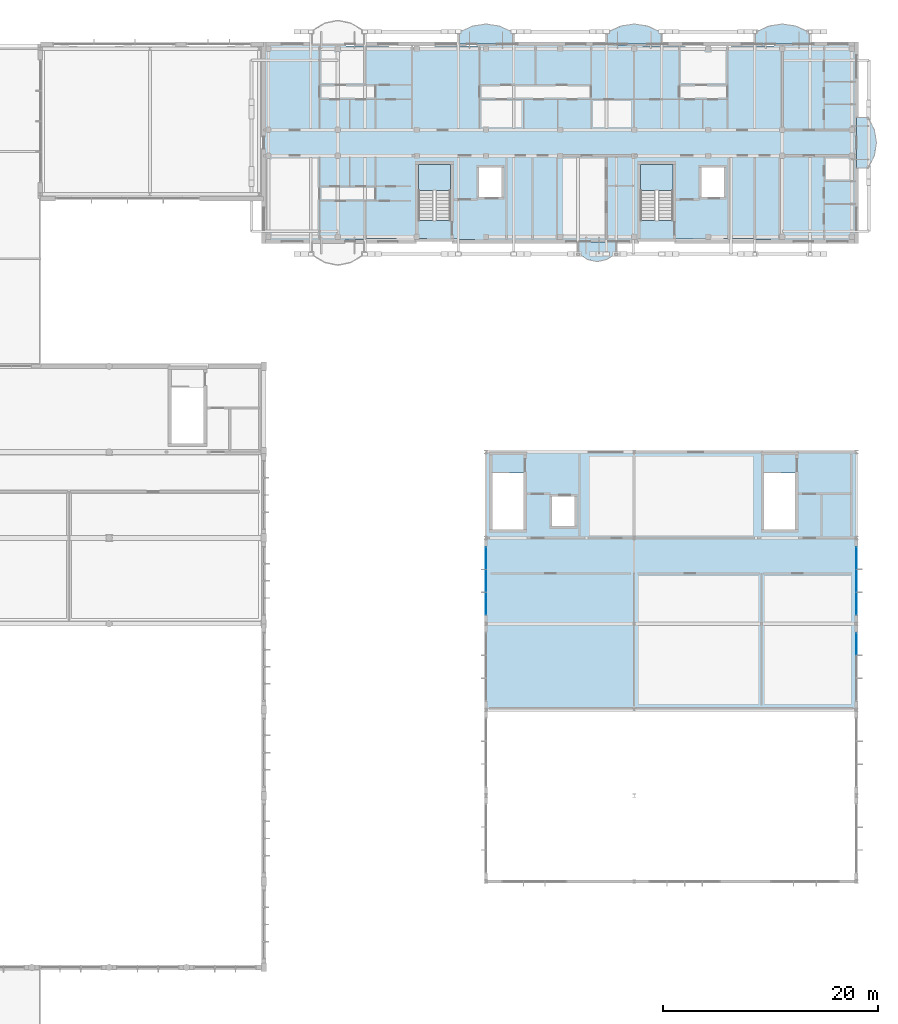
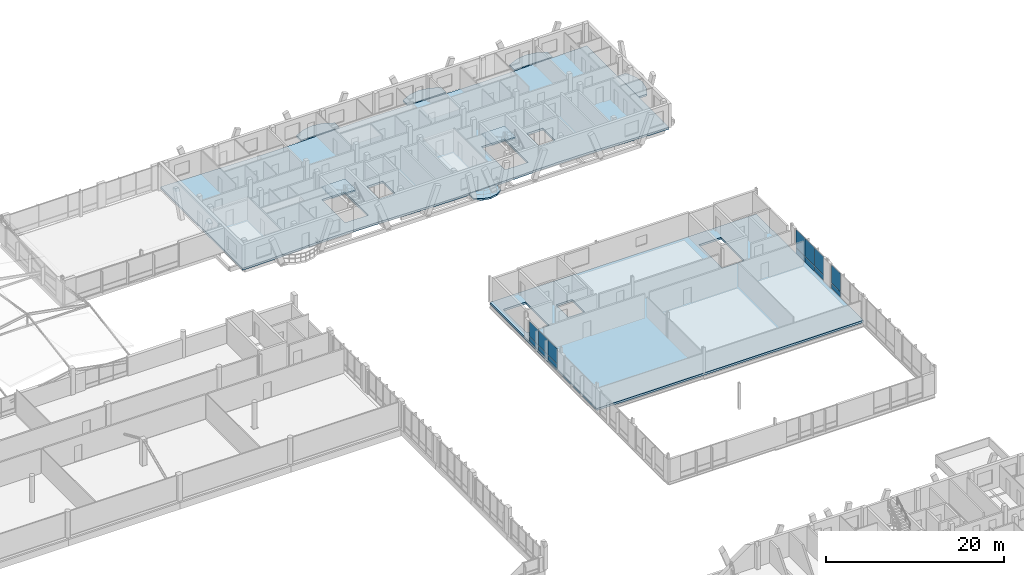
# One storey, part 132 of 189: 14 plates, 9 slabs, 5 elements without a shape of their own.
"""IFC4 building model written with IfcOpenShell, lengths in metres."""

from ifc_helpers import new_model, si_unit, direction, frame, origin, origin_2d, place, context, subcontext, project, spatial, polyline, rectangle, outline, extrude, material, layer, layer_set, type_object, element, aggregate, save


model = new_model("IFC4")

# Units and contexts
model_context = context("Model", 3, precision=1e-05, world=origin(), true_north=direction((0.0, 1.0)))
body_context = subcontext(model_context, "Body", "Model", "MODEL_VIEW")
ifc_project = project(units=[si_unit("LENGTHUNIT", "METRE"), si_unit("AREAUNIT", "SQUARE_METRE"), si_unit("VOLUMEUNIT", "CUBIC_METRE"), si_unit("PLANEANGLEUNIT", "RADIAN"), si_unit("MASSUNIT", "GRAM", prefix="KILO")], contexts=[model_context])

# Site, building, storey
site_placement = place(None, origin())
site = spatial("IfcSite", under=ifc_project, at=site_placement, CompositionType="ELEMENT")
building_placement = place(site_placement, origin())
building = spatial("IfcBuilding", under=site, at=building_placement, Name="Zavelmont Quarter", CompositionType="ELEMENT")
storey_placement = place(building_placement, frame((0.0, 0.0, 4.39990234375)))
storey = spatial("IfcBuildingStorey", under=building, at=storey_placement, Name="L01", CompositionType="ELEMENT", Elevation=4.39990234375)

# Curtain wall, plates
ifc_material_1 = material(Name="Thermally broken aluminium and double low-E safety glazing", Category="aluminium")
curtain_wall_type_1 = type_object("IfcCurtainWallType", Name="CW-640X287", PredefinedType="NOTDEFINED", material=ifc_material_1)
curtain_wall_1_placement = place(storey_placement, origin())
curtain_wall_1 = element("IfcCurtainWall", 1, at=curtain_wall_1_placement, inside=storey, type_object=curtain_wall_type_1, Name="L01 unitised curtain wall CW-640X287", PredefinedType="NOTDEFINED")
ifc_material_2 = material(Name="Insulated anodised-aluminium spandrel panel", Category="aluminium")
ifc_layer_1 = layer(ifc_material_2, 0.0400390625)
ifc_layer_set_1 = layer_set([ifc_layer_1], Name="Insulated anodised-aluminium spandrel panel")
plate_type_1 = type_object("IfcPlateType", Name="CWP-SPD-2045X600", PredefinedType="CURTAIN_PANEL", material=ifc_layer_set_1)
plate_1_placement = place(storey_placement, frame((133.5, 63.881591796875, 0.06005859375), z_axis=(0.0, 0.0, 1.0), x_axis=(0.0, 1.0, 0.0)))
plate_1 = element("IfcPlate", 2, at=plate_1_placement, type_object=plate_type_1, Name="CW-640X287 panel 1.1", PredefinedType="CURTAIN_PANEL", context=body_context, shape_type="SweptSolid", body=[
    extrude(rectangle(XDim=2.043212890625, YDim=0.0400390625, at=origin_2d()), origin(), (0.0, 0.0, 1.0), 0.59912109375),
])
plate_2_placement = place(storey_placement, frame((133.5, 68.118408203125, 0.06005859375), z_axis=(0.0, 0.0, 1.0), x_axis=(0.0, 1.0, 0.0)))
plate_2 = element("IfcPlate", 3, at=plate_2_placement, type_object=plate_type_1, Name="CW-640X287 panel 3.1", PredefinedType="CURTAIN_PANEL", context=body_context, shape_type="SweptSolid", body=[
    extrude(rectangle(XDim=2.043212890625, YDim=0.0400390625, at=origin_2d()), origin(), (0.0, 0.0, 1.0), 0.59912109375),
])

# Curtain wall, plate
curtain_wall_type_2 = type_object("IfcCurtainWallType", Name="CW-640X337", PredefinedType="NOTDEFINED", material=ifc_material_1)
curtain_wall_2_placement = place(storey_placement, origin())
curtain_wall_2 = element("IfcCurtainWall", 4, at=curtain_wall_2_placement, inside=storey, type_object=curtain_wall_type_2, Name="L01 unitised curtain wall CW-640X337", PredefinedType="NOTDEFINED")
ifc_layer_2 = layer(ifc_material_2, 0.0400390625)
ifc_layer_set_2 = layer_set([ifc_layer_2], Name="Insulated anodised-aluminium spandrel panel")
plate_type_2 = type_object("IfcPlateType", Name="CWP-SPD-2045X720", PredefinedType="CURTAIN_PANEL", material=ifc_layer_set_2)
plate_3_placement = place(storey_placement, frame((168.0, 60.118408203125, 0.06005859375), z_axis=(0.0, 0.0, 1.0), x_axis=(0.0, 1.0, 0.0)))
plate_3 = element("IfcPlate", 5, at=plate_3_placement, type_object=plate_type_2, Name="CW-640X337 panel 3.1", PredefinedType="CURTAIN_PANEL", context=body_context, shape_type="SweptSolid", body=[
    extrude(rectangle(XDim=2.043212890625, YDim=0.0400390625, at=origin_2d()), origin(), (0.0, 0.0, 1.0), 0.718994140625),
])

# Curtain wall, plates
curtain_wall_3_placement = place(storey_placement, origin())
curtain_wall_3 = element("IfcCurtainWall", 6, at=curtain_wall_3_placement, inside=storey, type_object=curtain_wall_type_2, Name="L01 unitised curtain wall CW-640X337", PredefinedType="NOTDEFINED")
plate_4_placement = place(storey_placement, frame((168.0, 63.881591796875, 0.06005859375), z_axis=(0.0, 0.0, 1.0), x_axis=(0.0, 1.0, 0.0)))
plate_4 = element("IfcPlate", 7, at=plate_4_placement, type_object=plate_type_2, Name="CW-640X337 panel 1.1", PredefinedType="CURTAIN_PANEL", context=body_context, shape_type="SweptSolid", body=[
    extrude(rectangle(XDim=2.043212890625, YDim=0.0400390625, at=origin_2d()), origin(), (0.0, 0.0, 1.0), 0.718994140625),
])
plate_5_placement = place(storey_placement, frame((168.0, 68.118408203125, 0.06005859375), z_axis=(0.0, 0.0, 1.0), x_axis=(0.0, 1.0, 0.0)))
plate_5 = element("IfcPlate", 8, at=plate_5_placement, type_object=plate_type_2, Name="CW-640X337 panel 3.1", PredefinedType="CURTAIN_PANEL", context=body_context, shape_type="SweptSolid", body=[
    extrude(rectangle(XDim=2.043212890625, YDim=0.0400390625, at=origin_2d()), origin(), (0.0, 0.0, 1.0), 0.718994140625),
])

# Plate
ifc_layer_3 = layer(ifc_material_2, 0.0400390625)
ifc_layer_set_3 = layer_set([ifc_layer_3], Name="Insulated anodised-aluminium spandrel panel")
plate_type_3 = type_object("IfcPlateType", Name="CWP-SPD-2075X600", PredefinedType="CURTAIN_PANEL", material=ifc_layer_set_3)
plate_6_placement = place(storey_placement, frame((133.5, 66.0, 0.06005859375), z_axis=(0.0, 0.0, 1.0), x_axis=(0.0, 1.0, 0.0)))
plate_6 = element("IfcPlate", 9, at=plate_6_placement, type_object=plate_type_3, Name="CW-640X287 panel 2.1", PredefinedType="CURTAIN_PANEL", context=body_context, shape_type="SweptSolid", body=[
    extrude(rectangle(XDim=2.0732421875, YDim=0.0400390625, at=origin_2d()), origin(), (0.0, 0.0, 1.0), 0.59912109375),
])

ifc_layer_4 = layer(ifc_material_2, 0.0400390625)
ifc_layer_set_4 = layer_set([ifc_layer_4], Name="Insulated anodised-aluminium spandrel panel")
plate_type_4 = type_object("IfcPlateType", Name="CWP-SPD-2075X720", PredefinedType="CURTAIN_PANEL", material=ifc_layer_set_4)
plate_7_placement = place(storey_placement, frame((168.0, 66.0, 0.06005859375), z_axis=(0.0, 0.0, 1.0), x_axis=(0.0, 1.0, 0.0)))
plate_7 = element("IfcPlate", 10, at=plate_7_placement, type_object=plate_type_4, Name="CW-640X337 panel 2.1", PredefinedType="CURTAIN_PANEL", context=body_context, shape_type="SweptSolid", body=[
    extrude(rectangle(XDim=2.0732421875, YDim=0.0400390625, at=origin_2d()), origin(), (0.0, 0.0, 1.0), 0.718994140625),
])

ifc_material_3 = material(Name="Double low-E insulated vision glass", Category="glass")
ifc_layer_5 = layer(ifc_material_3, 0.028076171875)
ifc_layer_set_5 = layer_set([ifc_layer_5], Name="Double low-E insulated vision glass")
plate_type_5 = type_object("IfcPlateType", Name="CWP-VIS-2045X2090", PredefinedType="CURTAIN_PANEL", material=ifc_layer_set_5)
plate_8_placement = place(storey_placement, frame((133.5, 63.881591796875, 0.71923828125), z_axis=(0.0, 0.0, 1.0), x_axis=(0.0, 1.0, 0.0)))
plate_8 = element("IfcPlate", 11, at=plate_8_placement, type_object=plate_type_5, Name="CW-640X287 panel 1.2", PredefinedType="CURTAIN_PANEL", context=body_context, shape_type="SweptSolid", body=[
    extrude(rectangle(XDim=2.043212890625, YDim=0.028076171875, at=origin_2d()), origin(), (0.0, 0.0, 1.0), 2.091064453125),
])

plate_9_placement = place(storey_placement, frame((133.5, 68.118408203125, 0.71923828125), z_axis=(0.0, 0.0, 1.0), x_axis=(0.0, 1.0, 0.0)))
plate_9 = element("IfcPlate", 12, at=plate_9_placement, type_object=plate_type_5, Name="CW-640X287 panel 3.2", PredefinedType="CURTAIN_PANEL", context=body_context, shape_type="SweptSolid", body=[
    extrude(rectangle(XDim=2.043212890625, YDim=0.028076171875, at=origin_2d()), origin(), (0.0, 0.0, 1.0), 2.091064453125),
])

ifc_layer_6 = layer(ifc_material_3, 0.028076171875)
ifc_layer_set_6 = layer_set([ifc_layer_6], Name="Double low-E insulated vision glass")
plate_type_6 = type_object("IfcPlateType", Name="CWP-VIS-2045X2470", PredefinedType="CURTAIN_PANEL", material=ifc_layer_set_6)
plate_10_placement = place(storey_placement, frame((168.0, 60.118408203125, 0.83935546875), z_axis=(0.0, 0.0, 1.0), x_axis=(0.0, 1.0, 0.0)))
plate_10 = element("IfcPlate", 13, at=plate_10_placement, type_object=plate_type_6, Name="CW-640X337 panel 3.2", PredefinedType="CURTAIN_PANEL", context=body_context, shape_type="SweptSolid", body=[
    extrude(rectangle(XDim=2.043212890625, YDim=0.028076171875, at=origin_2d()), origin(), (0.0, 0.0, 1.0), 2.470947265625),
])

aggregate(curtain_wall_2, [plate_3, plate_10])

plate_11_placement = place(storey_placement, frame((168.0, 63.881591796875, 0.83935546875), z_axis=(0.0, 0.0, 1.0), x_axis=(0.0, 1.0, 0.0)))
plate_11 = element("IfcPlate", 14, at=plate_11_placement, type_object=plate_type_6, Name="CW-640X337 panel 1.2", PredefinedType="CURTAIN_PANEL", context=body_context, shape_type="SweptSolid", body=[
    extrude(rectangle(XDim=2.043212890625, YDim=0.028076171875, at=origin_2d()), origin(), (0.0, 0.0, 1.0), 2.470947265625),
])

plate_12_placement = place(storey_placement, frame((168.0, 68.118408203125, 0.83935546875), z_axis=(0.0, 0.0, 1.0), x_axis=(0.0, 1.0, 0.0)))
plate_12 = element("IfcPlate", 15, at=plate_12_placement, type_object=plate_type_6, Name="CW-640X337 panel 3.2", PredefinedType="CURTAIN_PANEL", context=body_context, shape_type="SweptSolid", body=[
    extrude(rectangle(XDim=2.043212890625, YDim=0.028076171875, at=origin_2d()), origin(), (0.0, 0.0, 1.0), 2.470947265625),
])

ifc_layer_7 = layer(ifc_material_3, 0.028076171875)
ifc_layer_set_7 = layer_set([ifc_layer_7], Name="Double low-E insulated vision glass")
plate_type_7 = type_object("IfcPlateType", Name="CWP-VIS-2075X2090", PredefinedType="CURTAIN_PANEL", material=ifc_layer_set_7)
plate_13_placement = place(storey_placement, frame((133.5, 66.0, 0.71923828125), z_axis=(0.0, 0.0, 1.0), x_axis=(0.0, 1.0, 0.0)))
plate_13 = element("IfcPlate", 16, at=plate_13_placement, type_object=plate_type_7, Name="CW-640X287 panel 2.2", PredefinedType="CURTAIN_PANEL", context=body_context, shape_type="SweptSolid", body=[
    extrude(rectangle(XDim=2.0732421875, YDim=0.028076171875, at=origin_2d()), origin(), (0.0, 0.0, 1.0), 2.091064453125),
])

aggregate(curtain_wall_1, [plate_1, plate_8, plate_6, plate_13, plate_2, plate_9])

ifc_layer_8 = layer(ifc_material_3, 0.028076171875)
ifc_layer_set_8 = layer_set([ifc_layer_8], Name="Double low-E insulated vision glass")
plate_type_8 = type_object("IfcPlateType", Name="CWP-VIS-2075X2470", PredefinedType="CURTAIN_PANEL", material=ifc_layer_set_8)
plate_14_placement = place(storey_placement, frame((168.0, 66.0, 0.83935546875), z_axis=(0.0, 0.0, 1.0), x_axis=(0.0, 1.0, 0.0)))
plate_14 = element("IfcPlate", 17, at=plate_14_placement, type_object=plate_type_8, Name="CW-640X337 panel 2.2", PredefinedType="CURTAIN_PANEL", context=body_context, shape_type="SweptSolid", body=[
    extrude(rectangle(XDim=2.0732421875, YDim=0.028076171875, at=origin_2d()), origin(), (0.0, 0.0, 1.0), 2.470947265625),
])

aggregate(curtain_wall_3, [plate_4, plate_11, plate_7, plate_14, plate_5, plate_12])

# Slabs
ifc_material_4 = material(Name="White architectural precast concrete C40/50", Category="concrete")
ifc_layer_9 = layer(ifc_material_4, 0.235107421875)
ifc_layer_set_9 = layer_set([ifc_layer_9], Name="White architectural precast concrete C40/50")
slab_type_1 = type_object("IfcSlabType", Name="SL-BL180", PredefinedType="FLOOR", material=ifc_layer_set_9)
slab_1_placement = place(storey_placement, frame((0.0, 0.0, -0.23486328125)))
element("IfcSlab", 18, at=slab_1_placement, inside=storey, type_object=slab_type_1, Name="L01 Block C street vase 4 balcony SL-BL180", PredefinedType="FLOOR", context=body_context, shape_type="SweptSolid", body=[
    extrude(outline(polyline([(163.58203125, 116.02001953125), (163.58203125, 117.10009765625), (162.341064453125, 117.673095703125), (161.10009765625, 117.864013671875), (159.85888671875, 117.673095703125), (158.617919921875, 117.10009765625), (158.617919921875, 116.02001953125), (163.58203125, 116.02001953125)])), origin(), (0.0, 0.0, 1.0), 0.23486328125),
])
slab_2_placement = place(storey_placement, frame((0.0, 0.0, -0.23486328125)))
element("IfcSlab", 19, at=slab_2_placement, inside=storey, type_object=slab_type_1, Name="L01 Block C courtyard central vase balcony SL-BL180", PredefinedType="FLOOR", context=body_context, shape_type="SweptSolid", body=[
    extrude(outline(polyline([(142.072021484375, 97.580078125), (142.072021484375, 96.5), (142.9609375, 95.927001953125), (143.85009765625, 95.736083984375), (144.739013671875, 95.927001953125), (145.628173828125, 96.5), (145.628173828125, 97.580078125), (142.072021484375, 97.580078125)])), origin(), (0.0, 0.0, 1.0), 0.23486328125),
])
ifc_layer_10 = layer(ifc_material_4, 0.2451171875)
ifc_layer_set_10 = layer_set([ifc_layer_10], Name="White architectural precast concrete C40/50")
slab_type_2 = type_object("IfcSlabType", Name="SL-BL200", PredefinedType="FLOOR", material=ifc_layer_set_10)
slab_3_placement = place(storey_placement, frame((0.0, 0.0, -0.244873046875)))
element("IfcSlab", 20, at=slab_3_placement, inside=storey, type_object=slab_type_2, Name="L01 Block C street vase 3 balcony SL-BL200", PredefinedType="FLOOR", context=body_context, shape_type="SweptSolid", body=[
    extrude(outline(polyline([(149.781982421875, 116.02001953125), (149.781982421875, 117.10009765625), (148.541015625, 117.673095703125), (147.300048828125, 117.864013671875), (146.05908203125, 117.673095703125), (144.81787109375, 117.10009765625), (144.81787109375, 116.02001953125), (149.781982421875, 116.02001953125)])), origin(), (0.0, 0.0, 1.0), 0.244873046875),
])
ifc_layer_11 = layer(ifc_material_4, 0.2548828125)
ifc_layer_set_11 = layer_set([ifc_layer_11], Name="White architectural precast concrete C40/50")
slab_type_3 = type_object("IfcSlabType", Name="SL-BL220", PredefinedType="FLOOR", material=ifc_layer_set_11)
slab_4_placement = place(storey_placement, frame((0.0, 0.0, -0.2548828125)))
element("IfcSlab", 21, at=slab_4_placement, inside=storey, type_object=slab_type_3, Name="L01 Block C street vase 2 balcony SL-BL220", PredefinedType="FLOOR", context=body_context, shape_type="SweptSolid", body=[
    extrude(outline(polyline([(135.982177734375, 116.02001953125), (135.982177734375, 117.10009765625), (134.7412109375, 117.673095703125), (133.5, 117.864013671875), (132.2587890625, 117.673095703125), (131.017822265625, 117.10009765625), (131.017822265625, 116.02001953125), (135.982177734375, 116.02001953125)])), origin(), (0.0, 0.0, 1.0), 0.2548828125),
])
slab_5_placement = place(storey_placement, frame((0.0, 0.0, -0.2548828125)))
element("IfcSlab", 22, at=slab_5_placement, inside=storey, type_object=slab_type_3, Name="L01 Block C boulevard vase balcony SL-BL220", PredefinedType="FLOOR", context=body_context, shape_type="SweptSolid", body=[
    extrude(outline(polyline([(168.02001953125, 104.4365234375), (169.10009765625, 104.4365234375), (169.673095703125, 105.618408203125), (169.864013671875, 106.800048828125), (169.673095703125, 107.981689453125), (169.10009765625, 109.16357421875), (168.02001953125, 109.16357421875), (168.02001953125, 104.4365234375)])), origin(), (0.0, 0.0, 1.0), 0.2548828125),
])
ifc_material_5 = material(Name="Concrete C40/50", Category="concrete")
ifc_layer_12 = layer(ifc_material_5, 0.280029296875)
ifc_layer_set_12 = layer_set([ifc_layer_12], Name="Concrete C40/50")
slab_type_4 = type_object("IfcSlabType", Name="SL-FL280", PredefinedType="FLOOR", material=ifc_layer_set_12)
slab_6_placement = place(storey_placement, frame((0.0, 0.0, -0.27978515625)))
element("IfcSlab", 23, at=slab_6_placement, inside=storey, type_object=slab_type_4, Name="L01 Block C floor slab SL-FL280", PredefinedType="FLOOR", context=body_context, shape_type="SweptSolid", body=[
    extrude(outline(polyline([(112.800048828125, 97.60009765625), (116.25, 97.64111328125), (119.699951171875, 97.739990234375), (123.14990234375, 97.839111328125), (126.60009765625, 97.8798828125), (130.050048828125, 97.839111328125), (133.5, 97.739990234375), (136.949951171875, 97.64111328125), (140.39990234375, 97.60009765625), (143.85009765625, 97.64111328125), (147.300048828125, 97.739990234375), (150.75, 97.839111328125), (154.199951171875, 97.8798828125), (157.64990234375, 97.839111328125), (161.10009765625, 97.739990234375), (164.550048828125, 97.64111328125), (168.0, 97.60009765625), (168.0, 101.280029296875), (168.0, 104.9599609375), (168.0, 108.639892578125), (168.0, 112.320068359375), (168.0, 116.0), (164.550048828125, 115.958984375), (161.10009765625, 115.860107421875), (157.64990234375, 115.760986328125), (154.199951171875, 115.719970703125), (150.75, 115.760986328125), (147.300048828125, 115.860107421875), (143.85009765625, 115.958984375), (140.39990234375, 116.0), (136.949951171875, 115.958984375), (133.5, 115.860107421875), (130.050048828125, 115.760986328125), (126.60009765625, 115.719970703125), (123.14990234375, 115.760986328125), (119.699951171875, 115.860107421875), (116.25, 115.958984375), (112.800048828125, 116.0), (112.800048828125, 112.320068359375), (112.800048828125, 108.639892578125), (112.800048828125, 104.9599609375), (112.800048828125, 101.280029296875), (112.800048828125, 97.60009765625)]), holes=[polyline([(130.199951171875, 99.574951171875), (130.199951171875, 104.800048828125), (127.199951171875, 104.800048828125), (127.199951171875, 99.574951171875), (130.199951171875, 99.574951171875)]), polyline([(132.85009765625, 101.75), (134.949951171875, 101.75), (134.949951171875, 104.5), (132.85009765625, 104.5), (132.85009765625, 101.75)]), polyline([(150.89990234375, 99.574951171875), (150.89990234375, 104.800048828125), (147.89990234375, 104.800048828125), (147.89990234375, 99.574951171875), (150.89990234375, 99.574951171875)]), polyline([(153.550048828125, 101.75), (155.64990234375, 101.75), (155.64990234375, 104.5), (153.550048828125, 104.5), (153.550048828125, 101.75)])]), origin(), (0.0, 0.0, 1.0), 0.27978515625),
])
slab_7_placement = place(storey_placement, frame((0.0, 0.0, -0.27978515625)))
element("IfcSlab", 24, at=slab_7_placement, inside=storey, type_object=slab_type_4, Name="L01 Nursery Pavilion upper playroom slab SL-FL280", PredefinedType="FLOOR", context=body_context, shape_type="SweptSolid", body=[
    extrude(outline(polyline([(133.5, 54.0), (168.0, 54.0), (168.0, 78.0), (133.5, 78.0), (133.5, 54.0)]), holes=[polyline([(134.10009765625, 76.02490234375), (134.10009765625, 70.800048828125), (137.0, 70.800048828125), (137.0, 76.02490234375), (134.10009765625, 76.02490234375)]), polyline([(139.64990234375, 71.10009765625), (141.75, 71.10009765625), (141.75, 73.85009765625), (139.64990234375, 73.85009765625), (139.64990234375, 71.10009765625)]), polyline([(159.39990234375, 76.02490234375), (159.39990234375, 70.800048828125), (162.300048828125, 70.800048828125), (162.300048828125, 76.02490234375), (159.39990234375, 76.02490234375)])]), origin(), (0.0, 0.0, 1.0), 0.27978515625),
])

# Stair, slab
ifc_material_6 = material(Name="Concrete C35/45", Category="concrete")
stair_type = type_object("IfcStairType", Name="STR-1400-1800", PredefinedType="HALF_TURN_STAIR", material=ifc_material_6)
stair_1_placement = place(storey_placement, origin())
stair_1 = element("IfcStair", 25, at=stair_1_placement, inside=storey, type_object=stair_type, Name="L01 protected stair ST05", PredefinedType="HALF_TURN_STAIR")
ifc_layer_13 = layer(ifc_material_6, 0.199951171875)
ifc_layer_set_13 = layer_set([ifc_layer_13], Name="Concrete C35/45")
slab_type_5 = type_object("IfcSlabType", Name="SL-LND200", PredefinedType="LANDING", material=ifc_layer_set_13)
slab_8_placement = place(storey_placement, frame((0.0, 0.0, 1.60009765625)))
slab_8 = element("IfcSlab", 26, at=slab_8_placement, type_object=slab_type_5, Name="ST05 landing 1", PredefinedType="LANDING", context=body_context, shape_type="SweptSolid", body=[
    extrude(outline(polyline([(130.199951171875, 102.340087890625), (130.199951171875, 104.800048828125), (127.199951171875, 104.800048828125), (127.199951171875, 102.340087890625), (130.199951171875, 102.340087890625)])), origin(), (0.0, 0.0, 1.0), 0.199951171875),
])
aggregate(stair_1, [slab_8])

stair_2_placement = place(storey_placement, origin())
stair_2 = element("IfcStair", 27, at=stair_2_placement, inside=storey, type_object=stair_type, Name="L01 protected stair ST06", PredefinedType="HALF_TURN_STAIR")
slab_9_placement = place(storey_placement, frame((0.0, 0.0, 1.60009765625)))
slab_9 = element("IfcSlab", 28, at=slab_9_placement, type_object=slab_type_5, Name="ST06 landing 1", PredefinedType="LANDING", context=body_context, shape_type="SweptSolid", body=[
    extrude(outline(polyline([(150.89990234375, 102.340087890625), (150.89990234375, 104.800048828125), (147.89990234375, 104.800048828125), (147.89990234375, 102.340087890625), (150.89990234375, 102.340087890625)])), origin(), (0.0, 0.0, 1.0), 0.199951171875),
])
aggregate(stair_2, [slab_9])

save(model, "model.ifc")
